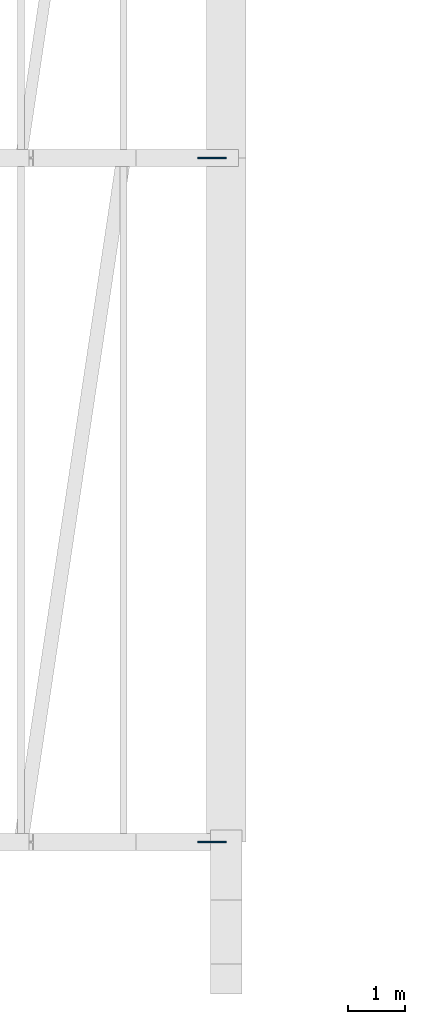
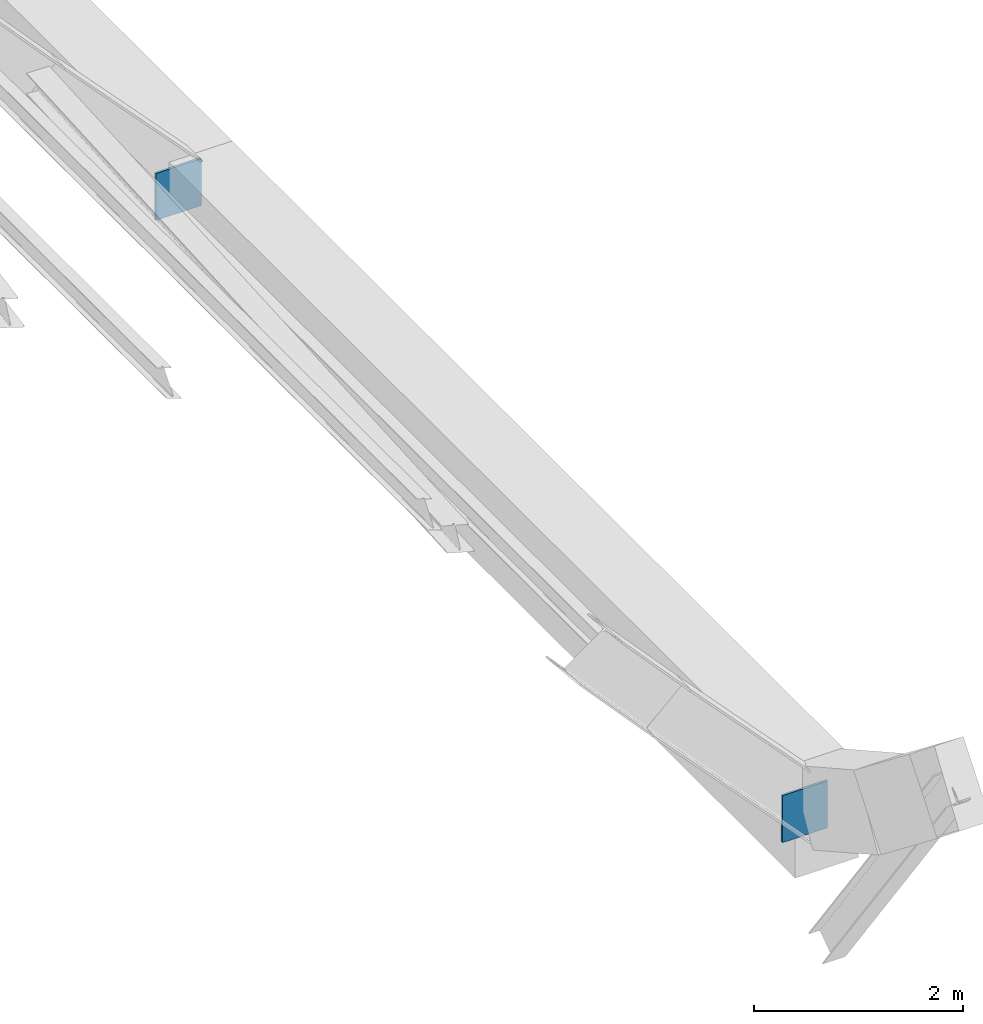
# One storey, part 66 of 86: 2 plates.
"""IFC4 building model written with IfcOpenShell, lengths in metres."""

from ifc_helpers import new_model, si_unit, direction, frame, origin, origin_2d, place, context, subcontext, project, spatial, rectangle, extrude, material, layer, layer_set, type_object, element, save


model = new_model("IFC4")

# Units and contexts
model_context = context("Model", 3, precision=1e-05, world=origin(), true_north=direction((0.0, 1.0)))
body_context = subcontext(model_context, "Body", "Model", "MODEL_VIEW")
ifc_project = project(units=[si_unit("LENGTHUNIT", "METRE"), si_unit("AREAUNIT", "SQUARE_METRE"), si_unit("VOLUMEUNIT", "CUBIC_METRE"), si_unit("PLANEANGLEUNIT", "RADIAN"), si_unit("MASSUNIT", "GRAM", prefix="KILO")], contexts=[model_context])

# Site, building, storey
site_placement = place(None, origin())
site = spatial("IfcSite", under=ifc_project, at=site_placement, CompositionType="ELEMENT")
building_placement = place(site_placement, origin())
building = spatial("IfcBuilding", under=site, at=building_placement, Name="Chuanluo Vaults Station", CompositionType="ELEMENT")
storey_placement = place(building_placement, frame((0.0, 0.0, 14.39990234375)))
storey = spatial("IfcBuildingStorey", under=building, at=storey_placement, Name="L03", CompositionType="ELEMENT", Elevation=14.39990234375)

# Plates
ifc_material = material(Name="Steel Q390C", Category="steel")
ifc_layer = layer(ifc_material, 0.028076171875)
ifc_layer_set = layer_set([ifc_layer], Name="Steel Q390C")
plate_type = type_object("IfcPlateType", Name="PLT-GUS-28", PredefinedType="USERDEFINED", material=ifc_layer_set)
for number, where, z_axis, x_axis, name in (
    (1, (125.75, 18.0, -0.875), (0.0, 0.0, 1.0), (1.0, 0.0, 0.0), "Vault V7 skewback node plate 1-E"),
    (2, (125.75, 30.0, -0.875), (0.0, 0.0, 1.0), (1.0, 0.0, 0.0), "Vault V7 skewback node plate 2-E"),
):
    element("IfcPlate", number, at=place(storey_placement, frame(where, z_axis=z_axis, x_axis=x_axis)), inside=storey, type_object=plate_type, Name=name, ObjectType="GUSSET_PLATE", PredefinedType="USERDEFINED", context=body_context, shape_type="SweptSolid", body=[
        extrude(rectangle(XDim=0.5, YDim=0.028076171875, at=origin_2d()), origin(), (0.0, 0.0, 1.0), 0.550048828125),
    ])

save(model, "model.ifc")
